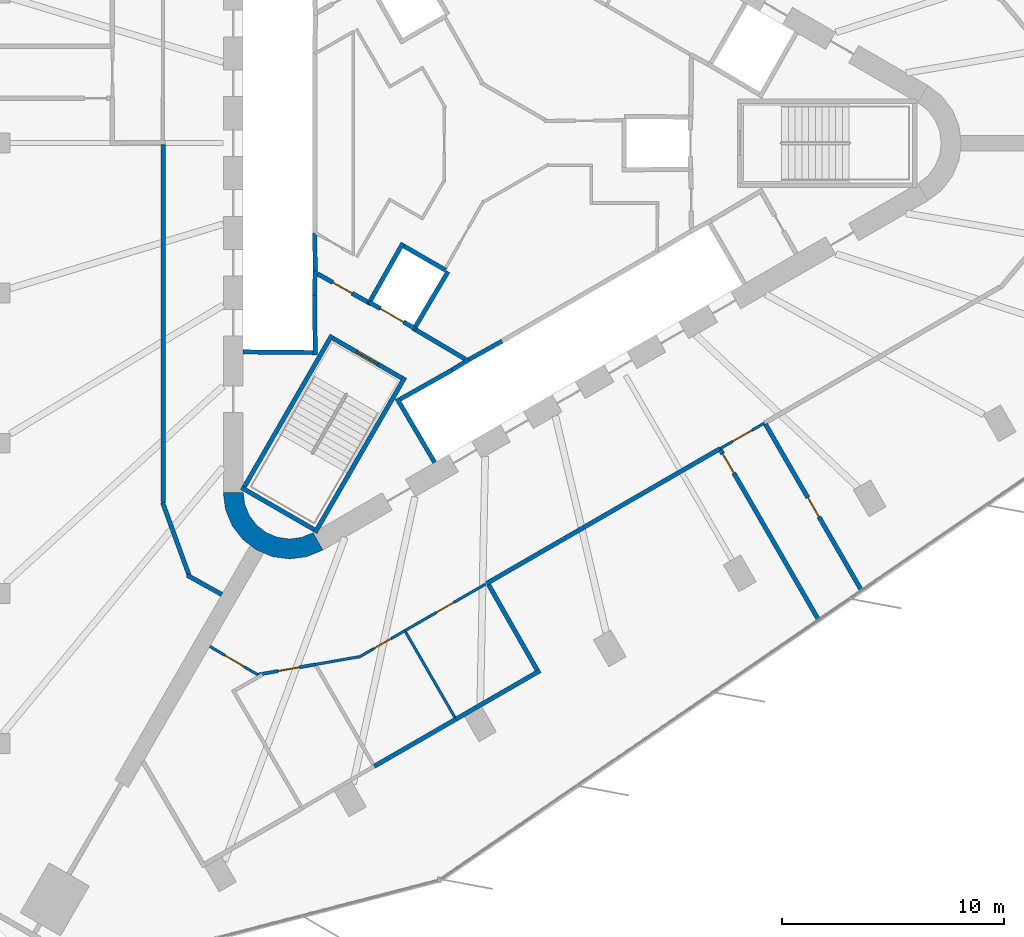
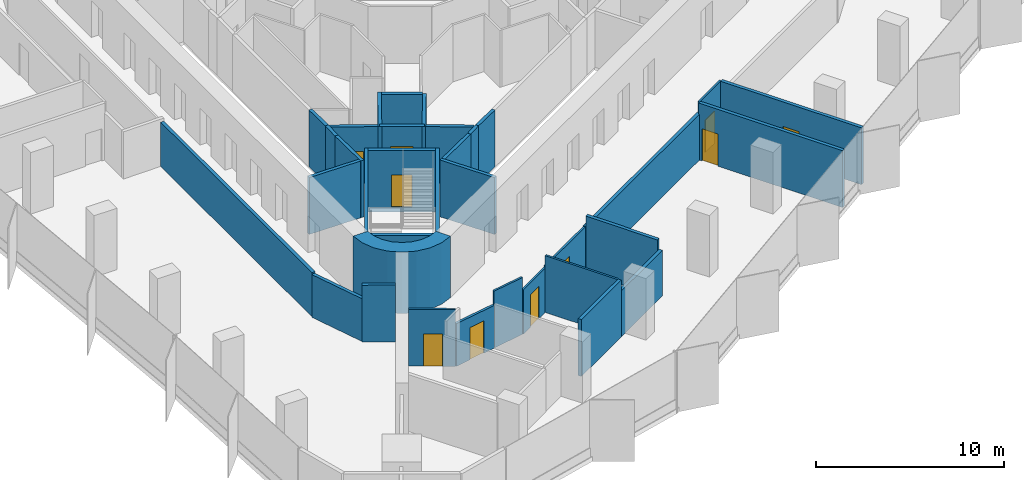
# One storey, part 8 of 13: 35 walls, 10 doors, 10 openings.
"""IFC4 building model written with IfcOpenShell, lengths in metres."""

from ifc_helpers import new_model, si_unit, direction, frame, frame_2d, origin, place, context, subcontext, project, spatial, polyline, rectangle, outline, extrude, material, layer, layer_set, type_object, element, fill, save


model = new_model("IFC4")

# Units and contexts
model_context = context("Model", 3, precision=1e-05, world=origin(), true_north=direction((0.0, 1.0)))
body_context = subcontext(model_context, "Body", "Model", "MODEL_VIEW")
ifc_project = project(units=[si_unit("LENGTHUNIT", "METRE"), si_unit("AREAUNIT", "SQUARE_METRE"), si_unit("VOLUMEUNIT", "CUBIC_METRE"), si_unit("PLANEANGLEUNIT", "RADIAN"), si_unit("MASSUNIT", "GRAM", prefix="KILO")], contexts=[model_context])

# Site, building, storey
site_placement = place(None, origin())
site = spatial("IfcSite", under=ifc_project, at=site_placement, CompositionType="ELEMENT")
building_placement = place(site_placement, origin())
building = spatial("IfcBuilding", under=site, at=building_placement, Name="Tanit Gate Tower", CompositionType="ELEMENT")
storey_placement = place(building_placement, frame((0.0, 0.0, 185.199951171875)))
storey = spatial("IfcBuildingStorey", under=building, at=storey_placement, Name="L40", CompositionType="ELEMENT", Elevation=185.199951171875)

# Walls
ifc_material_1 = material(Name="Concrete C50/60", Category="concrete")
ifc_layer_1 = layer(ifc_material_1, 0.89990234375)
ifc_layer_set_1 = layer_set([ifc_layer_1], Name="CORE WALL 900 C50/60")
wall_type_1 = type_object("IfcWallType", Name="CORE WALL 900 C50/60", PredefinedType="SHEAR", material=ifc_layer_set_1)
wall_1_placement = place(storey_placement, origin())
element("IfcWall", 1, at=wall_1_placement, inside=storey, type_object=wall_type_1, Name="CORE WALL CORNER", PredefinedType="SHEAR", context=body_context, shape_type="SweptSolid", body=[
    extrude(outline(polyline([(-12.10009765625, -15.76171875), (-11.997802734375, -16.5380859375), (-11.697998046875, -17.26171875), (-11.22119140625, -17.883056640625), (-10.60009765625, -18.359619140625), (-9.87646484375, -18.659423828125), (-9.10009765625, -18.76171875), (-8.323486328125, -18.659423828125), (-7.60009765625, -18.359619140625), (-8.050048828125, -17.580322265625), (-8.556396484375, -17.7900390625), (-9.10009765625, -17.86181640625), (-9.6435546875, -17.7900390625), (-10.14990234375, -17.580322265625), (-10.5849609375, -17.24658203125), (-10.918701171875, -16.811767578125), (-11.12841796875, -16.30517578125), (-11.199951171875, -15.76171875), (-12.10009765625, -15.76171875)])), origin(), (0.0, 0.0, 1.0), 4.0),
])
ifc_material_2 = material(Name="Fire-rated gypsum board partition")
ifc_layer_2 = layer(ifc_material_2, 0.199951171875)
ifc_layer_set_2 = layer_set([ifc_layer_2], Name="INT-WALL-COMPARTMENT")
wall_type_2 = type_object("IfcWallType", Name="INT-WALL-COMPARTMENT", PredefinedType="PARTITIONING", material=ifc_layer_set_2)
wall_2_placement = place(storey_placement, frame((-3.400634765625, -8.43017578125, 0.0), z_axis=(0.0, 0.0, 1.0), x_axis=(0.860615607571, -0.509255118781, 0.0)))
element("IfcWall", 2, at=wall_2_placement, inside=storey, type_object=wall_type_2, Name="Wall Compartment W063", PredefinedType="PARTITIONING", context=body_context, shape_type="SweptSolid", body=[
    extrude(rectangle(XDim=2.58056640625, YDim=0.199951171875, at=frame_2d((1.290283203125, 0.0))), origin(), (0.0, 0.0, 1.0), 3.699951171875),
])

# Wall, opening, door
wall_3_placement = place(storey_placement, frame((-7.849365234375, -5.893798828125, 0.0), z_axis=(0.0, 0.0, 1.0), x_axis=(0.871363259478, -0.490638431059, 0.0)))
wall_3 = element("IfcWall", 3, at=wall_3_placement, inside=storey, type_object=wall_type_2, Name="Wall Compartment W064", PredefinedType="PARTITIONING", context=body_context, shape_type="SweptSolid", body=[
    extrude(rectangle(XDim=2.5810546875, YDim=0.199951171875, at=frame_2d((1.29052734375, 0.0))), origin(), (0.0, 0.0, 1.0), 3.699951171875),
])
opening_1_placement = place(wall_3_placement, frame((0.79052734375, 0.0, 0.0)))
opening_1 = element("IfcOpeningElement", 4, at=opening_1_placement, cuts=wall_3, Name="Opening F10-S10-08", PredefinedType="OPENING", context=body_context, shape_type="SweptSolid", body=[
    extrude(rectangle(XDim=1.0, YDim=2.10009765625, at=frame_2d((0.5, 1.050048828125))), frame((0.0, 0.10986328125, 0.0), z_axis=(0.0, -1.0, 0.0), x_axis=(1.0, 0.0, 0.0)), (0.0, 0.0, 1.0), 0.219970703125),
])
ifc_material_3 = material(Name="Fire-rated steel door leaf", Category="steel")
door_type_1 = type_object("IfcDoorType", Name="INT-DOOR-FIRE-1000", OperationType="NOTDEFINED", PredefinedType="USERDEFINED", material=ifc_material_3)
door_1_placement = place(opening_1_placement, origin())
door_1 = element("IfcDoor", 5, at=door_1_placement, inside=storey, type_object=door_type_1, Name="Door F10-S10-08", ObjectType="FIRE DOOR", OperationType="SINGLE_SWING_LEFT", OverallHeight=2.10009765625, OverallWidth=1.0, PredefinedType="USERDEFINED", context=body_context, shape_type="SweptSolid", body=[
    extrude(rectangle(XDim=1.0, YDim=2.10009765625, at=frame_2d((0.5, 1.050048828125))), frame((0.0, 0.02490234375, 0.0), z_axis=(0.0, -1.0, 0.0), x_axis=(1.0, 0.0, 0.0)), (0.0, 0.0, 1.0), 0.050048828125),
])
fill(opening_1, door_1)

# Walls
wall_4_placement = place(storey_placement, frame((-13.722412109375, -19.499267578125, 0.0), z_axis=(0.0, 0.0, 1.0), x_axis=(0.873381780332, -0.487036205824, 0.0)))
element("IfcWall", 6, at=wall_4_placement, inside=storey, type_object=wall_type_2, Name="Wall Compartment W093", PredefinedType="PARTITIONING", context=body_context, shape_type="SweptSolid", body=[
    extrude(rectangle(XDim=1.78466796875, YDim=0.199951171875, at=frame_2d((0.892333984375, 0.0))), origin(), (0.0, 0.0, 1.0), 3.699951171875),
])
wall_5_placement = place(storey_placement, frame((-14.834228515625, -16.22314453125, 0.0), z_axis=(0.0, 0.0, 1.0), x_axis=(0.342017717312, -0.939693503779, 0.0)))
element("IfcWall", 7, at=wall_5_placement, inside=storey, type_object=wall_type_2, Name="Wall Compartment W094", PredefinedType="PARTITIONING", context=body_context, shape_type="SweptSolid", body=[
    extrude(rectangle(XDim=3.4970703125, YDim=0.199951171875, at=frame_2d((1.74853515625, 0.0))), origin(), (0.0, 0.0, 1.0), 2.780029296875),
])
wall_6_placement = place(storey_placement, frame((-14.800048828125, -0.070068359375, 0.0), z_axis=(0.0, 0.0, 1.0), x_axis=(0.0, -1.0, 0.0)))
element("IfcWall", 8, at=wall_6_placement, inside=storey, type_object=wall_type_2, Name="Wall Compartment W095", PredefinedType="PARTITIONING", context=body_context, shape_type="SweptSolid", body=[
    extrude(rectangle(XDim=16.14697265625, YDim=0.199951171875, at=frame_2d((8.073486328125, 0.0))), origin(), (0.0, 0.0, 1.0), 2.880126953125),
])
wall_7_placement = place(storey_placement, frame((-0.222900390625, -19.8740234375, 0.0), z_axis=(0.0, 0.0, 1.0), x_axis=(0.866025366729, 0.500000064182, 0.0)))
element("IfcWall", 9, at=wall_7_placement, inside=storey, type_object=wall_type_2, Name="Wall Compartment W104", PredefinedType="PARTITIONING", context=body_context, shape_type="SweptSolid", body=[
    extrude(rectangle(XDim=12.18017578125, YDim=0.199951171875, at=frame_2d((6.090087890625, 0.0))), origin(), (0.0, 0.0, 1.0), 2.97998046875),
])

# Wall, opening, door
wall_8_placement = place(storey_placement, frame((10.338134765625, -13.845947265625, 0.0), z_axis=(0.0, 0.0, 1.0), x_axis=(0.499984974409, -0.86603407864, 0.0)))
wall_8 = element("IfcWall", 10, at=wall_8_placement, inside=storey, type_object=wall_type_2, Name="Wall Compartment W123", PredefinedType="PARTITIONING", context=body_context, shape_type="SweptSolid", body=[
    extrude(rectangle(XDim=8.855224609375, YDim=0.199951171875, at=frame_2d((4.427734375, 0.0))), origin(), (0.0, 0.0, 1.0), 3.699951171875),
])
opening_2_placement = place(wall_8_placement, frame((0.199951171875, 0.0, 0.0)))
opening_2 = element("IfcOpeningElement", 11, at=opening_2_placement, cuts=wall_8, Name="Opening F10-S10-29", PredefinedType="OPENING", context=body_context, shape_type="SweptSolid", body=[
    extrude(rectangle(XDim=1.0, YDim=2.10009765625, at=frame_2d((0.5, 1.050048828125))), frame((0.0, 0.10986328125, 0.0), z_axis=(0.0, -1.0, 0.0), x_axis=(1.0, 0.0, 0.0)), (0.0, 0.0, 1.0), 0.219970703125),
])
door_2_placement = place(opening_2_placement, origin())
door_2 = element("IfcDoor", 12, at=door_2_placement, inside=storey, type_object=door_type_1, Name="Door F10-S10-29", ObjectType="FIRE DOOR", OperationType="SINGLE_SWING_LEFT", OverallHeight=2.10009765625, OverallWidth=1.0, PredefinedType="USERDEFINED", context=body_context, shape_type="SweptSolid", body=[
    extrude(rectangle(XDim=1.0, YDim=2.10009765625, at=frame_2d((0.5, 1.050048828125))), frame((0.0, 0.02490234375, 0.0), z_axis=(0.0, -1.0, 0.0), x_axis=(1.0, 0.0, 0.0)), (0.0, 0.0, 1.0), 0.050048828125),
])
fill(opening_2, door_2)

wall_9_placement = place(storey_placement, frame((16.700927734375, -20.186767578125, 0.0), z_axis=(0.0, 0.0, 1.0), x_axis=(-0.500008367389, 0.866020572816, 0.0)))
wall_9 = element("IfcWall", 13, at=wall_9_placement, inside=storey, type_object=wall_type_2, Name="Wall Compartment W124", PredefinedType="PARTITIONING", context=body_context, shape_type="SweptSolid", body=[
    extrude(rectangle(XDim=8.672607421875, YDim=0.199951171875, at=frame_2d((4.33642578125, 0.0))), origin(), (0.0, 0.0, 1.0), 3.699951171875),
])
opening_3_placement = place(wall_9_placement, frame((3.83642578125, 0.0, 0.0)))
opening_3 = element("IfcOpeningElement", 14, at=opening_3_placement, cuts=wall_9, Name="Opening F10-S10-30", PredefinedType="OPENING", context=body_context, shape_type="SweptSolid", body=[
    extrude(rectangle(XDim=1.0, YDim=2.10009765625, at=frame_2d((0.5, 1.050048828125))), frame((0.0, 0.10986328125, 0.0), z_axis=(0.0, -1.0, 0.0), x_axis=(1.0, 0.0, 0.0)), (0.0, 0.0, 1.0), 0.219970703125),
])
door_3_placement = place(opening_3_placement, origin())
door_3 = element("IfcDoor", 15, at=door_3_placement, inside=storey, type_object=door_type_1, Name="Door F10-S10-30", ObjectType="FIRE DOOR", OperationType="SINGLE_SWING_RIGHT", OverallHeight=2.10009765625, OverallWidth=1.0, PredefinedType="USERDEFINED", context=body_context, shape_type="SweptSolid", body=[
    extrude(rectangle(XDim=1.0, YDim=2.10009765625, at=frame_2d((0.5, 1.050048828125))), frame((0.0, 0.02490234375, 0.0), z_axis=(0.0, -1.0, 0.0), x_axis=(1.0, 0.0, 0.0)), (0.0, 0.0, 1.0), 0.050048828125),
])
fill(opening_3, door_3)

# Walls
wall_10_placement = place(storey_placement, frame((2.19482421875, -23.801513671875, 0.0), z_axis=(0.0, 0.0, 1.0), x_axis=(-0.866030693553, -0.49999083774, 0.0)))
element("IfcWall", 16, at=wall_10_placement, inside=storey, type_object=wall_type_2, Name="Wall Compartment W125", PredefinedType="PARTITIONING", context=body_context, shape_type="SweptSolid", body=[
    extrude(rectangle(XDim=4.38330078125, YDim=0.199951171875, at=frame_2d((2.191650390625, 0.0))), origin(), (0.0, 0.0, 1.0), 2.97998046875),
])
wall_11_placement = place(storey_placement, frame((-1.601318359375, -25.9931640625, 0.0), z_axis=(0.0, 0.0, 1.0), x_axis=(-0.86603819212, -0.4999778493, 0.0)))
element("IfcWall", 17, at=wall_11_placement, inside=storey, type_object=wall_type_2, Name="Wall Compartment W127", PredefinedType="PARTITIONING", context=body_context, shape_type="SweptSolid", body=[
    extrude(rectangle(XDim=4.247802734375, YDim=0.199951171875, at=frame_2d((2.1240234375, 0.0))), origin(), (0.0, 0.0, 1.0), 3.699951171875),
])
wall_12_placement = place(storey_placement, frame((-0.121337890625, -19.930908203125, 0.0), z_axis=(0.0, 0.0, 1.0), x_axis=(0.494319450353, -0.869280323602, 0.0)))
element("IfcWall", 18, at=wall_12_placement, inside=storey, type_object=wall_type_2, Name="Wall Compartment W126", PredefinedType="PARTITIONING", context=body_context, shape_type="SweptSolid", body=[
    extrude(rectangle(XDim=4.409912109375, YDim=0.199951171875, at=frame_2d((2.205078125, 0.0))), origin(), (0.0, 0.0, 1.0), 3.699951171875),
])

# Wall, opening, door
ifc_material_4 = material(Name="Gypsum board partition")
ifc_layer_3 = layer(ifc_material_4, 0.1201171875)
ifc_layer_set_3 = layer_set([ifc_layer_3], Name="INT-WALL-PARTITION")
wall_type_3 = type_object("IfcWallType", Name="INT-WALL-PARTITION", PredefinedType="PARTITIONING", material=ifc_layer_set_3)
wall_13_placement = place(storey_placement, frame((12.317138671875, -12.634033203125, 0.0), z_axis=(0.0, 0.0, 1.0), x_axis=(-0.86602648383, -0.499998129301, 0.0)))
wall_13 = element("IfcWall", 19, at=wall_13_placement, inside=storey, type_object=wall_type_3, Name="Wall Partition W103", PredefinedType="PARTITIONING", context=body_context, shape_type="SweptSolid", body=[
    extrude(rectangle(XDim=2.2998046875, YDim=0.1201171875, at=frame_2d((1.14990234375, 0.0))), origin(), (0.0, 0.0, 1.0), 3.699951171875),
])
opening_4_placement = place(wall_13_placement, frame((0.64990234375, 0.0, 0.0)))
opening_4 = element("IfcOpeningElement", 20, at=opening_4_placement, cuts=wall_13, Name="Opening D10-S10-20", PredefinedType="OPENING", context=body_context, shape_type="SweptSolid", body=[
    extrude(rectangle(XDim=1.0, YDim=2.10009765625, at=frame_2d((0.5, 1.050048828125))), frame((0.0, 0.070068359375, 0.0), z_axis=(0.0, -1.0, 0.0), x_axis=(1.0, 0.0, 0.0)), (0.0, 0.0, 1.0), 0.14013671875),
])
ifc_material_5 = material(Name="Timber door leaf", Category="wood")
door_type_2 = type_object("IfcDoorType", Name="INT-DOOR-SINGLE-1000", OperationType="NOTDEFINED", PredefinedType="NOTDEFINED", material=ifc_material_5)
door_4_placement = place(opening_4_placement, origin())
door_4 = element("IfcDoor", 21, at=door_4_placement, inside=storey, type_object=door_type_2, Name="Door D10-S10-20", OperationType="SINGLE_SWING_RIGHT", OverallHeight=2.10009765625, OverallWidth=1.0, PredefinedType="NOTDEFINED", context=body_context, shape_type="SweptSolid", body=[
    extrude(rectangle(XDim=1.0, YDim=2.10009765625, at=frame_2d((0.5, 1.050048828125))), frame((0.0, 0.02490234375, 0.0), z_axis=(0.0, -1.0, 0.0), x_axis=(1.0, 0.0, 0.0)), (0.0, 0.0, 1.0), 0.050048828125),
])
fill(opening_4, door_4)

wall_14_placement = place(storey_placement, frame((-5.984130859375, -23.200439453125, 0.0), z_axis=(0.0, 0.0, 1.0), x_axis=(0.866017831539, 0.500013115284, 0.0)))
wall_14 = element("IfcWall", 22, at=wall_14_placement, inside=storey, type_object=wall_type_3, Name="Wall Partition W109", PredefinedType="PARTITIONING", context=body_context, shape_type="SweptSolid", body=[
    extrude(rectangle(XDim=2.3994140625, YDim=0.1201171875, at=frame_2d((1.19970703125, 0.0))), origin(), (0.0, 0.0, 1.0), 2.880126953125),
])
opening_5_placement = place(wall_14_placement, frame((0.77978515625, 0.0, 0.0)))
opening_5 = element("IfcOpeningElement", 23, at=opening_5_placement, cuts=wall_14, Name="Opening D09-S10-22", PredefinedType="OPENING", context=body_context, shape_type="SweptSolid", body=[
    extrude(rectangle(XDim=0.89990234375, YDim=2.10009765625, at=frame_2d((0.449951171875, 1.050048828125))), frame((0.0, 0.070068359375, 0.0), z_axis=(0.0, -1.0, 0.0), x_axis=(1.0, 0.0, 0.0)), (0.0, 0.0, 1.0), 0.14013671875),
])
ifc_material_6 = material(Name="Timber door leaf", Category="wood")
door_type_3 = type_object("IfcDoorType", Name="INT-DOOR-SINGLE-900", OperationType="NOTDEFINED", PredefinedType="NOTDEFINED", material=ifc_material_6)
door_5_placement = place(opening_5_placement, origin())
door_5 = element("IfcDoor", 24, at=door_5_placement, inside=storey, type_object=door_type_3, Name="Door D09-S10-22", OperationType="SINGLE_SWING_LEFT", OverallHeight=2.10009765625, OverallWidth=0.89990234375, PredefinedType="NOTDEFINED", context=body_context, shape_type="SweptSolid", body=[
    extrude(rectangle(XDim=0.89990234375, YDim=2.10009765625, at=frame_2d((0.449951171875, 1.050048828125))), frame((0.0, 0.02490234375, 0.0), z_axis=(0.0, -1.0, 0.0), x_axis=(1.0, 0.0, 0.0)), (0.0, 0.0, 1.0), 0.050048828125),
])
fill(opening_5, door_5)

wall_15_placement = place(storey_placement, frame((-3.90625, -22.000732421875, 0.0), z_axis=(0.0, 0.0, 1.0), x_axis=(0.866012851997, 0.500021739704, 0.0)))
wall_15 = element("IfcWall", 25, at=wall_15_placement, inside=storey, type_object=wall_type_3, Name="Wall Partition W108", PredefinedType="PARTITIONING", context=body_context, shape_type="SweptSolid", body=[
    extrude(rectangle(XDim=4.213134765625, YDim=0.1201171875, at=frame_2d((2.1064453125, 0.0))), origin(), (0.0, 0.0, 1.0), 2.97998046875),
])
opening_6_placement = place(wall_15_placement, frame((1.656494140625, 0.0, 0.0)))
opening_6 = element("IfcOpeningElement", 26, at=opening_6_placement, cuts=wall_15, Name="Opening D09-S10-21", PredefinedType="OPENING", context=body_context, shape_type="SweptSolid", body=[
    extrude(rectangle(XDim=0.89990234375, YDim=2.10009765625, at=frame_2d((0.449951171875, 1.050048828125))), frame((0.0, 0.070068359375, 0.0), z_axis=(0.0, -1.0, 0.0), x_axis=(1.0, 0.0, 0.0)), (0.0, 0.0, 1.0), 0.14013671875),
])
door_6_placement = place(opening_6_placement, origin())
door_6 = element("IfcDoor", 27, at=door_6_placement, inside=storey, type_object=door_type_3, Name="Door D09-S10-21", OperationType="SINGLE_SWING_LEFT", OverallHeight=2.10009765625, OverallWidth=0.89990234375, PredefinedType="NOTDEFINED", context=body_context, shape_type="SweptSolid", body=[
    extrude(rectangle(XDim=0.89990234375, YDim=2.10009765625, at=frame_2d((0.449951171875, 1.050048828125))), frame((0.0, 0.02490234375, 0.0), z_axis=(0.0, -1.0, 0.0), x_axis=(1.0, 0.0, 0.0)), (0.0, 0.0, 1.0), 0.050048828125),
])
fill(opening_6, door_6)

# Wall
wall_16_placement = place(storey_placement, frame((-7.94482421875, -23.525146484375, 0.0), z_axis=(0.0, 0.0, 1.0), x_axis=(0.984807090041, 0.173651937522, 0.0)))
element("IfcWall", 28, at=wall_16_placement, inside=storey, type_object=wall_type_3, Name="Wall Partition W110", PredefinedType="PARTITIONING", context=body_context, shape_type="SweptSolid", body=[
    extrude(rectangle(XDim=1.983642578125, YDim=0.1201171875, at=frame_2d((0.99169921875, 0.0))), origin(), (0.0, 0.0, 1.0), 3.699951171875),
])

# Wall, opening, door
wall_17_placement = place(storey_placement, frame((-12.706787109375, -22.708984375, 0.0), z_axis=(0.0, 0.0, 1.0), x_axis=(0.860742216303, -0.509041095663, 0.0)))
wall_17 = element("IfcWall", 29, at=wall_17_placement, inside=storey, type_object=wall_type_3, Name="Wall Partition W112", PredefinedType="PARTITIONING", context=body_context, shape_type="SweptSolid", body=[
    extrude(rectangle(XDim=2.505859375, YDim=0.1201171875, at=frame_2d((1.2529296875, 0.0))), origin(), (0.0, 0.0, 1.0), 3.699951171875),
])
opening_7_placement = place(wall_17_placement, frame((0.802978515625, 0.0, 0.0)))
opening_7 = element("IfcOpeningElement", 30, at=opening_7_placement, cuts=wall_17, Name="Opening D10-S10-24", PredefinedType="OPENING", context=body_context, shape_type="SweptSolid", body=[
    extrude(rectangle(XDim=1.0, YDim=2.10009765625, at=frame_2d((0.5, 1.050048828125))), frame((0.0, 0.070068359375, 0.0), z_axis=(0.0, -1.0, 0.0), x_axis=(1.0, 0.0, 0.0)), (0.0, 0.0, 1.0), 0.14013671875),
])
door_7_placement = place(opening_7_placement, origin())
door_7 = element("IfcDoor", 31, at=door_7_placement, inside=storey, type_object=door_type_2, Name="Door D10-S10-24", OperationType="SINGLE_SWING_RIGHT", OverallHeight=2.10009765625, OverallWidth=1.0, PredefinedType="NOTDEFINED", context=body_context, shape_type="SweptSolid", body=[
    extrude(rectangle(XDim=1.0, YDim=2.10009765625, at=frame_2d((0.5, 1.050048828125))), frame((0.0, 0.02490234375, 0.0), z_axis=(0.0, -1.0, 0.0), x_axis=(1.0, 0.0, 0.0)), (0.0, 0.0, 1.0), 0.050048828125),
])
fill(opening_7, door_7)

# Wall
wall_18_placement = place(storey_placement, frame((-1.6513671875, -25.906494140625, 0.0), z_axis=(0.0, 0.0, 1.0), x_axis=(-0.499980495566, 0.866036664382, 0.0)))
element("IfcWall", 32, at=wall_18_placement, inside=storey, type_object=wall_type_3, Name="Wall Partition W131", PredefinedType="PARTITIONING", context=body_context, shape_type="SweptSolid", body=[
    extrude(rectangle(XDim=4.449951171875, YDim=0.1201171875, at=frame_2d((2.22509765625, 0.0))), origin(), (0.0, 0.0, 1.0), 3.699951171875),
])

# Wall, opening, door
ifc_material_7 = material(Name="Fire-rated gypsum board partition")
ifc_layer_4 = layer(ifc_material_7, 0.14990234375)
ifc_layer_set_4 = layer_set([ifc_layer_4], Name="INT-WALL-RISER")
wall_type_4 = type_object("IfcWallType", Name="INT-WALL-RISER", PredefinedType="PLUMBINGWALL", material=ifc_layer_set_4)
wall_19_placement = place(storey_placement, frame((-10.5498046875, -23.984619140625, 0.0), z_axis=(0.0, 0.0, 1.0), x_axis=(0.984798421686, 0.173701089936, 0.0)))
wall_19 = element("IfcWall", 33, at=wall_19_placement, inside=storey, type_object=wall_type_4, Name="Wall Riser W111", PredefinedType="PLUMBINGWALL", context=body_context, shape_type="SweptSolid", body=[
    extrude(rectangle(XDim=2.645263671875, YDim=0.14990234375, at=frame_2d((1.32275390625, 0.0))), origin(), (0.0, 0.0, 1.0), 2.780029296875),
])
opening_8_placement = place(wall_19_placement, frame((0.930419921875, 0.0, 0.0)))
opening_8 = element("IfcOpeningElement", 34, at=opening_8_placement, cuts=wall_19, Name="Opening F10-S10-23", PredefinedType="OPENING", context=body_context, shape_type="SweptSolid", body=[
    extrude(rectangle(XDim=1.0, YDim=2.10009765625, at=frame_2d((0.5, 1.050048828125))), frame((0.0, 0.0849609375, 0.0), z_axis=(0.0, -1.0, 0.0), x_axis=(1.0, 0.0, 0.0)), (0.0, 0.0, 1.0), 0.169921875),
])
door_8_placement = place(opening_8_placement, origin())
door_8 = element("IfcDoor", 35, at=door_8_placement, inside=storey, type_object=door_type_1, Name="Door F10-S10-23", ObjectType="FIRE DOOR", OperationType="SINGLE_SWING_RIGHT", OverallHeight=2.10009765625, OverallWidth=1.0, PredefinedType="USERDEFINED", context=body_context, shape_type="SweptSolid", body=[
    extrude(rectangle(XDim=1.0, YDim=2.10009765625, at=frame_2d((0.5, 1.050048828125))), frame((0.0, 0.02490234375, 0.0), z_axis=(0.0, -1.0, 0.0), x_axis=(1.0, 0.0, 0.0)), (0.0, 0.0, 1.0), 0.050048828125),
])
fill(opening_8, door_8)

# Walls
ifc_material_8 = material(Name="Gypsum shaft wall system")
ifc_layer_5 = layer(ifc_material_8, 0.199951171875)
ifc_layer_set_5 = layer_set([ifc_layer_5], Name="INT-WALL-SHAFT")
wall_type_5 = type_object("IfcWallType", Name="INT-WALL-SHAFT", PredefinedType="PLUMBINGWALL", material=ifc_layer_set_5)
wall_20_placement = place(storey_placement, frame((-7.949951171875, -5.7724609375, 0.0), z_axis=(0.0, 0.0, 1.0), x_axis=(-0.030803413295, -0.999525462272, 0.0)))
element("IfcWall", 36, at=wall_20_placement, inside=storey, type_object=wall_type_5, Name="Wall Shaft W008", PredefinedType="PLUMBINGWALL", context=body_context, shape_type="SweptSolid", body=[
    extrude(rectangle(XDim=1.077880859375, YDim=0.199951171875, at=frame_2d((0.5390625, 0.0))), origin(), (0.0, 0.0, 1.0), 3.699951171875),
])
wall_21_placement = place(storey_placement, frame((-7.971435546875, -4.050048828125, 0.0), z_axis=(0.0, 0.0, 1.0), x_axis=(0.012042535896, -0.999927486035, 0.0)))
element("IfcWall", 37, at=wall_21_placement, inside=storey, type_object=wall_type_5, Name="Wall Shaft W009", PredefinedType="PLUMBINGWALL", context=body_context, shape_type="SweptSolid", body=[
    extrude(rectangle(XDim=1.844970703125, YDim=0.199951171875, at=frame_2d((0.92236328125, 0.0))), origin(), (0.0, 0.0, 1.0), 3.699951171875),
])
wall_22_placement = place(storey_placement, frame((-7.97900390625, -6.85009765625, 0.0), z_axis=(0.0, 0.0, 1.0), x_axis=(0.011121475088, -0.999938154483, 0.0)))
element("IfcWall", 38, at=wall_22_placement, inside=storey, type_object=wall_type_5, Name="Wall Shaft W010", PredefinedType="PLUMBINGWALL", context=body_context, shape_type="SweptSolid", body=[
    extrude(rectangle(XDim=2.7001953125, YDim=0.199951171875, at=frame_2d((1.35009765625, 0.0))), origin(), (0.0, 0.0, 1.0), 3.699951171875),
])
wall_23_placement = place(storey_placement, frame((-8.050048828125, -9.448974609375, 0.0), z_axis=(0.0, 0.0, 1.0), x_axis=(-0.999957467379, 0.009222983926, 0.0)))
element("IfcWall", 39, at=wall_23_placement, inside=storey, type_object=wall_type_5, Name="Wall Shaft W011", PredefinedType="PLUMBINGWALL", context=body_context, shape_type="SweptSolid", body=[
    extrude(rectangle(XDim=3.150146484375, YDim=0.199951171875, at=frame_2d((1.5751953125, 0.0))), origin(), (0.0, 0.0, 1.0), 3.699951171875),
])
wall_24_placement = place(storey_placement, frame((-2.557861328125, -14.409423828125, 0.0), z_axis=(0.0, 0.0, 1.0), x_axis=(-0.507997497166, 0.861358544901, 0.0)))
element("IfcWall", 40, at=wall_24_placement, inside=storey, type_object=wall_type_5, Name="Wall Shaft W019", PredefinedType="PLUMBINGWALL", context=body_context, shape_type="SweptSolid", body=[
    extrude(rectangle(XDim=3.350341796875, YDim=0.199951171875, at=frame_2d((1.67529296875, 0.0))), origin(), (0.0, 0.0, 1.0), 3.699951171875),
])
wall_25_placement = place(storey_placement, frame((-1.7685546875, -10.23681640625, 0.0), z_axis=(0.0, 0.0, 1.0), x_axis=(-0.871534483978, -0.490334215854, 0.0)))
element("IfcWall", 41, at=wall_25_placement, inside=storey, type_object=wall_type_5, Name="Wall Shaft W020", PredefinedType="PLUMBINGWALL", context=body_context, shape_type="SweptSolid", body=[
    extrude(rectangle(XDim=2.7001953125, YDim=0.199951171875, at=frame_2d((1.35009765625, 0.0))), origin(), (0.0, 0.0, 1.0), 3.699951171875),
])
wall_26_placement = place(storey_placement, frame((-1.02392578125, -9.77099609375, 0.0), z_axis=(0.0, 0.0, 1.0), x_axis=(-0.850348075135, -0.526220629693, 0.0)))
element("IfcWall", 42, at=wall_26_placement, inside=storey, type_object=wall_type_5, Name="Wall Shaft W021", PredefinedType="PLUMBINGWALL", context=body_context, shape_type="SweptSolid", body=[
    extrude(rectangle(XDim=0.878173828125, YDim=0.199951171875, at=frame_2d((0.43896484375, 0.0))), origin(), (0.0, 0.0, 1.0), 3.699951171875),
])
wall_27_placement = place(storey_placement, frame((-1.130126953125, -9.831298828125, 0.0), z_axis=(0.0, 0.0, 1.0), x_axis=(0.874269620932, 0.485440655401, 0.0)))
element("IfcWall", 43, at=wall_27_placement, inside=storey, type_object=wall_type_5, Name="Wall Shaft W022", PredefinedType="PLUMBINGWALL", context=body_context, shape_type="SweptSolid", body=[
    extrude(rectangle(XDim=1.8447265625, YDim=0.199951171875, at=frame_2d((0.92236328125, 0.0))), origin(), (0.0, 0.0, 1.0), 3.699951171875),
])

# Wall, opening, door
wall_28_placement = place(storey_placement, frame((-3.44580078125, -8.3681640625, 0.0), z_axis=(0.0, 0.0, 1.0), x_axis=(-0.866024647952, 0.500001309137, 0.0)))
wall_28 = element("IfcWall", 44, at=wall_28_placement, inside=storey, type_object=wall_type_5, Name="Wall Shaft W045", PredefinedType="PLUMBINGWALL", context=body_context, shape_type="SweptSolid", body=[
    extrude(rectangle(XDim=2.39990234375, YDim=0.199951171875, at=frame_2d((1.199951171875, 0.0))), origin(), (0.0, 0.0, 1.0), 3.699951171875),
])
opening_9_placement = place(wall_28_placement, frame((0.60009765625, 0.0, 0.0)))
opening_9 = element("IfcOpeningElement", 45, at=opening_9_placement, cuts=wall_28, Name="Opening LDFL3-L40", PredefinedType="OPENING", context=body_context, shape_type="SweptSolid", body=[
    extrude(rectangle(XDim=1.199951171875, YDim=2.39990234375, at=frame_2d((0.60009765625, 1.199951171875))), frame((0.0, 0.10986328125, 0.0), z_axis=(0.0, -1.0, 0.0), x_axis=(1.0, 0.0, 0.0)), (0.0, 0.0, 1.0), 0.219970703125),
])
ifc_material_9 = material(Name="Stainless steel sliding door leaf", Category="steel")
door_type_4 = type_object("IfcDoorType", Name="INT-DOOR-LANDING-1200", OperationType="NOTDEFINED", PredefinedType="USERDEFINED", material=ifc_material_9)
door_9_placement = place(opening_9_placement, origin())
door_9 = element("IfcDoor", 46, at=door_9_placement, inside=storey, type_object=door_type_4, Name="Door LDFL3-L40", ObjectType="LANDING DOOR", OperationType="SLIDING_TO_LEFT", OverallHeight=2.39990234375, OverallWidth=1.199951171875, PredefinedType="USERDEFINED", context=body_context, shape_type="SweptSolid", body=[
    extrude(rectangle(XDim=1.199951171875, YDim=2.39990234375, at=frame_2d((0.60009765625, 1.199951171875))), frame((0.0, 0.02490234375, 0.0), z_axis=(0.0, -1.0, 0.0), x_axis=(1.0, 0.0, 0.0)), (0.0, 0.0, 1.0), 0.050048828125),
])
fill(opening_9, door_9)

# Walls
wall_29_placement = place(storey_placement, frame((-1.960693359375, -5.796142578125, 0.0), z_axis=(0.0, 0.0, 1.0), x_axis=(-0.508647062354, -0.860975125052, 0.0)))
element("IfcWall", 47, at=wall_29_placement, inside=storey, type_object=wall_type_5, Name="Wall Shaft W046", PredefinedType="PLUMBINGWALL", context=body_context, shape_type="SweptSolid", body=[
    extrude(rectangle(XDim=3.10009765625, YDim=0.199951171875, at=frame_2d((1.550048828125, 0.0))), origin(), (0.0, 0.0, 1.0), 3.699951171875),
])
wall_30_placement = place(storey_placement, frame((-3.989990234375, -4.509033203125, 0.0), z_axis=(0.0, 0.0, 1.0), x_axis=(-0.491358283181, -0.870957540612, 0.0)))
element("IfcWall", 48, at=wall_30_placement, inside=storey, type_object=wall_type_5, Name="Wall Shaft W047", PredefinedType="PLUMBINGWALL", context=body_context, shape_type="SweptSolid", body=[
    extrude(rectangle(XDim=3.200439453125, YDim=0.199951171875, at=frame_2d((1.60009765625, 0.0))), origin(), (0.0, 0.0, 1.0), 3.699951171875),
])
wall_31_placement = place(storey_placement, frame((-3.95263671875, -4.646240234375, 0.0), z_axis=(0.0, 0.0, 1.0), x_axis=(0.866038900241, -0.499976622722, 0.0)))
element("IfcWall", 49, at=wall_31_placement, inside=storey, type_object=wall_type_5, Name="Wall Shaft W048", PredefinedType="PLUMBINGWALL", context=body_context, shape_type="SweptSolid", body=[
    extrude(rectangle(XDim=2.189453125, YDim=0.199951171875, at=frame_2d((1.0947265625, 0.0))), origin(), (0.0, 0.0, 1.0), 3.699951171875),
])
ifc_material_10 = material(Name="Concrete C40/50", Category="concrete")
ifc_layer_6 = layer(ifc_material_10, 0.199951171875)
ifc_layer_set_6 = layer_set([ifc_layer_6], Name="INT-WALL-STAIR")
wall_type_6 = type_object("IfcWallType", Name="INT-WALL-STAIR", PredefinedType="SHEAR", material=ifc_layer_set_6)
wall_32_placement = place(storey_placement, frame((-3.904541015625, -10.56298828125, -0.300048828125), z_axis=(0.0, 0.0, 1.0), x_axis=(-0.500012932018, -0.866017937352, 0.0)))
element("IfcWall", 50, at=wall_32_placement, inside=storey, type_object=wall_type_6, Name="Wall Stair W041", PredefinedType="SHEAR", context=body_context, shape_type="SweptSolid", body=[
    extrude(rectangle(XDim=8.099853515625, YDim=0.199951171875, at=frame_2d((4.0498046875, 0.0))), origin(), (0.0, 0.0, 1.0), 4.0),
])
wall_33_placement = place(storey_placement, frame((-11.281982421875, -15.541015625, -0.300048828125), z_axis=(0.0, 0.0, 1.0), x_axis=(0.866000483506, -0.500043160704, 0.0)))
element("IfcWall", 51, at=wall_33_placement, inside=storey, type_object=wall_type_6, Name="Wall Stair W042", PredefinedType="SHEAR", context=body_context, shape_type="SweptSolid", body=[
    extrude(rectangle(XDim=3.800048828125, YDim=0.199951171875, at=frame_2d((1.89990234375, 0.0))), origin(), (0.0, 0.0, 1.0), 4.0),
])
wall_34_placement = place(storey_placement, frame((-7.195556640625, -8.662841796875, -0.300048828125), z_axis=(0.0, 0.0, 1.0), x_axis=(-0.499997992926, -0.866026562566, 0.0)))
element("IfcWall", 52, at=wall_34_placement, inside=storey, type_object=wall_type_6, Name="Wall Stair W043", PredefinedType="SHEAR", context=body_context, shape_type="SweptSolid", body=[
    extrude(rectangle(XDim=7.89990234375, YDim=0.199951171875, at=frame_2d((3.949951171875, 0.0))), origin(), (0.0, 0.0, 1.0), 4.0),
])

# Wall, opening, door
wall_35_placement = place(storey_placement, frame((-4.041259765625, -10.599365234375, -0.300048828125), z_axis=(0.0, 0.0, 1.0), x_axis=(-0.866047807691, 0.499961193289, 0.0)))
wall_35 = element("IfcWall", 53, at=wall_35_placement, inside=storey, type_object=wall_type_6, Name="Wall Stair W044", PredefinedType="SHEAR", context=body_context, shape_type="SweptSolid", body=[
    extrude(rectangle(XDim=3.599853515625, YDim=0.199951171875, at=frame_2d((1.7998046875, 0.0))), origin(), (0.0, 0.0, 1.0), 4.0),
])
opening_10_placement = place(wall_35_placement, frame((1.25, 0.0, 0.300048828125)))
opening_10 = element("IfcOpeningElement", 54, at=opening_10_placement, cuts=wall_35, Name="Opening S11-S10-07", PredefinedType="OPENING", context=body_context, shape_type="SweptSolid", body=[
    extrude(rectangle(XDim=1.10009765625, YDim=2.10009765625, at=frame_2d((0.550048828125, 1.050048828125))), frame((0.0, 0.10986328125, 0.0), z_axis=(0.0, -1.0, 0.0), x_axis=(1.0, 0.0, 0.0)), (0.0, 0.0, 1.0), 0.219970703125),
])
ifc_material_11 = material(Name="Timber door leaf", Category="wood")
door_type_5 = type_object("IfcDoorType", Name="INT-DOOR-STAIR-1100", OperationType="NOTDEFINED", PredefinedType="USERDEFINED", material=ifc_material_11)
door_10_placement = place(opening_10_placement, origin())
door_10 = element("IfcDoor", 55, at=door_10_placement, inside=storey, type_object=door_type_5, Name="Door S11-S10-07", ObjectType="FIRE DOOR", OperationType="SINGLE_SWING_RIGHT", OverallHeight=2.10009765625, OverallWidth=1.10009765625, PredefinedType="USERDEFINED", context=body_context, shape_type="SweptSolid", body=[
    extrude(rectangle(XDim=1.10009765625, YDim=2.10009765625, at=frame_2d((0.550048828125, 1.050048828125))), frame((0.0, 0.02490234375, 0.0), z_axis=(0.0, -1.0, 0.0), x_axis=(1.0, 0.0, 0.0)), (0.0, 0.0, 1.0), 0.050048828125),
])
fill(opening_10, door_10)

save(model, "model.ifc")
